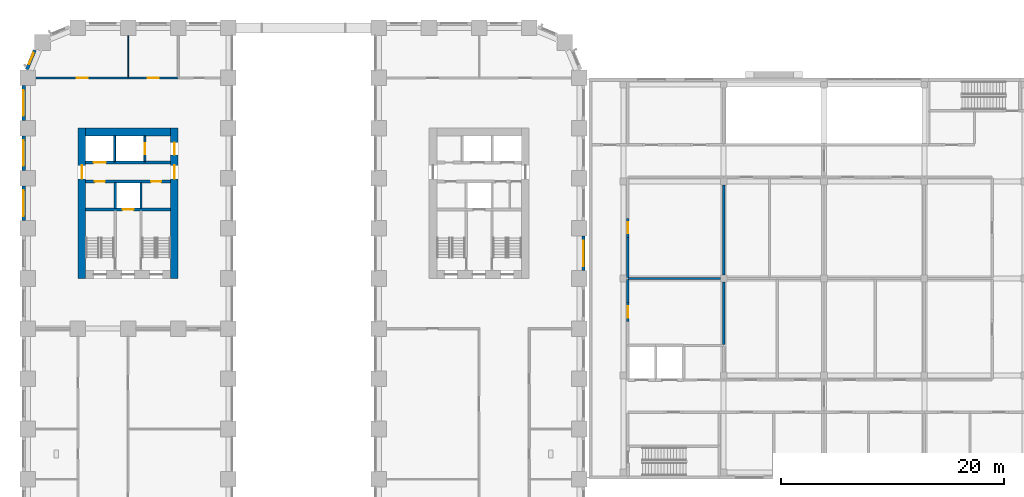
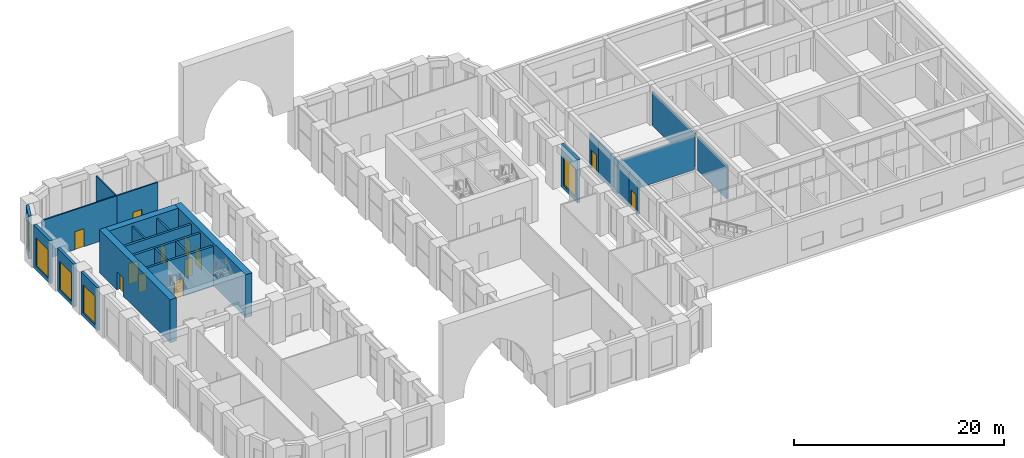
# One storey, part 13 of 25: 25 walls, 12 doors, 5 windows, 17 openings.
"""IFC4 building model written with IfcOpenShell, lengths in metres."""

from ifc_helpers import new_model, si_unit, direction, frame, frame_2d, origin, place, context, subcontext, project, spatial, rectangle, extrude, material, layer, layer_set, type_object, element, fill, save


model = new_model("IFC4")

# Units and contexts
model_context = context("Model", 3, precision=1e-05, world=origin(), true_north=direction((0.0, 1.0)))
body_context = subcontext(model_context, "Body", "Model", "MODEL_VIEW")
ifc_project = project(units=[si_unit("LENGTHUNIT", "METRE"), si_unit("AREAUNIT", "SQUARE_METRE"), si_unit("VOLUMEUNIT", "CUBIC_METRE"), si_unit("PLANEANGLEUNIT", "RADIAN"), si_unit("MASSUNIT", "GRAM", prefix="KILO")], contexts=[model_context])

# Site, building, storey
site_placement = place(None, origin())
site = spatial("IfcSite", under=ifc_project, at=site_placement, CompositionType="ELEMENT")
building_placement = place(site_placement, origin())
building = spatial("IfcBuilding", under=site, at=building_placement, Name="Girih Gate Residences", CompositionType="ELEMENT")
storey_placement = place(building_placement, frame((0.0, 0.0, 6.0)))
storey = spatial("IfcBuildingStorey", under=building, at=storey_placement, Name="L01", CompositionType="ELEMENT", Elevation=6.0)

# Wall, opening, door
ifc_material_1 = material(Name="Gypsum board on steel studs", Category="steel")
ifc_layer_1 = layer(ifc_material_1, 0.14990234375)
ifc_layer_set_1 = layer_set([ifc_layer_1], Name="Compartment wall 150 mm")
wall_type_1 = type_object("IfcWallType", Name="Compartment wall 150 mm", PredefinedType="PARTITIONING", material=ifc_layer_set_1)
wall_1_placement = place(storey_placement, frame((0.757568359375, 45.0, 0.0), z_axis=(0.0, 0.0, 1.0), x_axis=(1.0, 0.0, 0.0)))
wall_1 = element("IfcWall", 1, at=wall_1_placement, inside=storey, type_object=wall_type_1, Name="L01 partition", PredefinedType="PARTITIONING", context=body_context, shape_type="SweptSolid", body=[
    extrude(rectangle(XDim=8.242431640625, YDim=0.14990234375, at=frame_2d((4.12109375, 0.0))), origin(), (0.0, 0.0, 1.0), 4.64990234375),
])
opening_1_placement = place(wall_1_placement, frame((3.62109375, 0.0, 0.0)))
opening_1 = element("IfcOpeningElement", 2, at=opening_1_placement, cuts=wall_1, Name="Opening D-L01-S-010", PredefinedType="OPENING", context=body_context, shape_type="SweptSolid", body=[
    extrude(rectangle(XDim=1.0, YDim=2.10009765625, at=frame_2d((0.5, 1.050048828125))), frame((0.0, 0.0849609375, 0.0), z_axis=(0.0, -1.0, 0.0), x_axis=(1.0, 0.0, 0.0)), (0.0, 0.0, 1.0), 0.169921875),
])
ifc_material_2 = material(Name="Timber, fire-rated core", Category="wood")
door_type_1 = type_object("IfcDoorType", Name="Amenity door 1000x2100 FD30S", OperationType="SINGLE_SWING_LEFT", PredefinedType="DOOR", material=ifc_material_2)
door_1_placement = place(opening_1_placement, origin())
door_1 = element("IfcDoor", 3, at=door_1_placement, inside=storey, type_object=door_type_1, Name="Door L01-010", OperationType="SINGLE_SWING_RIGHT", OverallHeight=2.10009765625, OverallWidth=1.0, PredefinedType="DOOR", context=body_context, shape_type="SweptSolid", body=[
    extrude(rectangle(XDim=1.0, YDim=2.10009765625, at=frame_2d((0.5, 1.050048828125))), frame((0.0, 0.02490234375, 0.0), z_axis=(0.0, -1.0, 0.0), x_axis=(1.0, 0.0, 0.0)), (0.0, 0.0, 1.0), 0.050048828125),
])
fill(opening_1, door_1)

wall_2_placement = place(storey_placement, frame((9.0, 45.0, 0.0), z_axis=(0.0, 0.0, 1.0), x_axis=(1.0, 0.0, 0.0)))
wall_2 = element("IfcWall", 4, at=wall_2_placement, inside=storey, type_object=wall_type_1, Name="L01 partition", PredefinedType="PARTITIONING", context=body_context, shape_type="SweptSolid", body=[
    extrude(rectangle(XDim=4.5, YDim=0.14990234375, at=frame_2d((2.25, 0.0))), origin(), (0.0, 0.0, 1.0), 4.64990234375),
])
opening_2_placement = place(wall_2_placement, frame((1.75, 0.0, 0.0)))
opening_2 = element("IfcOpeningElement", 5, at=opening_2_placement, cuts=wall_2, Name="Opening D-L01-S-011", PredefinedType="OPENING", context=body_context, shape_type="SweptSolid", body=[
    extrude(rectangle(XDim=1.0, YDim=2.10009765625, at=frame_2d((0.5, 1.050048828125))), frame((0.0, 0.0849609375, 0.0), z_axis=(0.0, -1.0, 0.0), x_axis=(1.0, 0.0, 0.0)), (0.0, 0.0, 1.0), 0.169921875),
])
door_2_placement = place(opening_2_placement, origin())
door_2 = element("IfcDoor", 6, at=door_2_placement, inside=storey, type_object=door_type_1, Name="Door L01-011", OperationType="SINGLE_SWING_RIGHT", OverallHeight=2.10009765625, OverallWidth=1.0, PredefinedType="DOOR", context=body_context, shape_type="SweptSolid", body=[
    extrude(rectangle(XDim=1.0, YDim=2.10009765625, at=frame_2d((0.5, 1.050048828125))), frame((0.0, 0.02490234375, 0.0), z_axis=(0.0, -1.0, 0.0), x_axis=(1.0, 0.0, 0.0)), (0.0, 0.0, 1.0), 0.050048828125),
])
fill(opening_2, door_2)

# Wall
ifc_material_3 = material(Name="Concrete C60/75", Category="concrete")
ifc_layer_2 = layer(ifc_material_3, 0.699951171875)
ifc_layer_set_2 = layer_set([ifc_layer_2], Name="Core wall RC 700 Concrete C60/75")
wall_type_2 = type_object("IfcWallType", Name="Core wall RC 700 Concrete C60/75", PredefinedType="SOLIDWALL", material=ifc_layer_set_2)
wall_3_placement = place(storey_placement, frame((5.199951171875, 40.14990234375, 0.0), z_axis=(0.0, 0.0, 1.0), x_axis=(1.0, 0.0, 0.0)))
element("IfcWall", 7, at=wall_3_placement, inside=storey, type_object=wall_type_2, Name="Core wall W-N L01", PredefinedType="SOLIDWALL", context=body_context, shape_type="SweptSolid", body=[
    extrude(rectangle(XDim=7.60009765625, YDim=0.699951171875, at=frame_2d((3.800048828125, 0.0))), origin(), (0.0, 0.0, 1.0), 5.0),
])

# Wall, opening, door
wall_4_placement = place(storey_placement, frame((4.85009765625, 27.0, 0.0), z_axis=(0.0, 0.0, 1.0), x_axis=(0.0, 1.0, 0.0)))
wall_4 = element("IfcWall", 8, at=wall_4_placement, inside=storey, type_object=wall_type_2, Name="Core wall W-W L01", PredefinedType="SOLIDWALL", context=body_context, shape_type="SweptSolid", body=[
    extrude(rectangle(XDim=13.5, YDim=0.699951171875, at=frame_2d((6.75, 0.0))), origin(), (0.0, 0.0, 1.0), 5.0),
])
opening_3_placement = place(wall_4_placement, frame((8.949951171875, 0.0, 0.0)))
opening_3 = element("IfcOpeningElement", 9, at=opening_3_placement, cuts=wall_4, Name="Opening D-L01-W-012", PredefinedType="OPENING", context=body_context, shape_type="SweptSolid", body=[
    extrude(rectangle(XDim=1.199951171875, YDim=2.10009765625, at=frame_2d((0.60009765625, 1.050048828125))), frame((0.0, 0.35986328125, 0.0), z_axis=(0.0, -1.0, 0.0), x_axis=(1.0, 0.0, 0.0)), (0.0, 0.0, 1.0), 0.719970703125),
])
ifc_material_4 = material(Name="Painted steel, fire-resisting", Category="steel")
door_type_2 = type_object("IfcDoorType", Name="Fire door 1200x2100", OperationType="SINGLE_SWING_LEFT", PredefinedType="DOOR", material=ifc_material_4)
door_3_placement = place(opening_3_placement, origin())
door_3 = element("IfcDoor", 10, at=door_3_placement, inside=storey, type_object=door_type_2, Name="L01 W core door ll-w", OperationType="SINGLE_SWING_LEFT", OverallHeight=2.10009765625, OverallWidth=1.199951171875, PredefinedType="DOOR", context=body_context, shape_type="SweptSolid", body=[
    extrude(rectangle(XDim=1.199951171875, YDim=2.10009765625, at=frame_2d((0.60009765625, 1.050048828125))), frame((0.0, 0.02490234375, 0.0), z_axis=(0.0, -1.0, 0.0), x_axis=(1.0, 0.0, 0.0)), (0.0, 0.0, 1.0), 0.050048828125),
])
fill(opening_3, door_3)

# Wall, openings, doors
wall_5_placement = place(storey_placement, frame((13.14990234375, 27.0, 0.0), z_axis=(0.0, 0.0, 1.0), x_axis=(0.0, 1.0, 0.0)))
wall_5 = element("IfcWall", 11, at=wall_5_placement, inside=storey, type_object=wall_type_2, Name="Core wall W-E L01", PredefinedType="SOLIDWALL", context=body_context, shape_type="SweptSolid", body=[
    extrude(rectangle(XDim=13.5, YDim=0.699951171875, at=frame_2d((6.75, 0.0))), origin(), (0.0, 0.0, 1.0), 5.0),
])
opening_4_placement = place(wall_5_placement, frame((11.10009765625, 0.0, 0.0)))
opening_4 = element("IfcOpeningElement", 12, at=opening_4_placement, cuts=wall_5, Name="Opening D-L01-W-011", PredefinedType="OPENING", context=body_context, shape_type="SweptSolid", body=[
    extrude(rectangle(XDim=1.10009765625, YDim=2.10009765625, at=frame_2d((0.550048828125, 1.050048828125))), frame((0.0, 0.35986328125, 0.0), z_axis=(0.0, -1.0, 0.0), x_axis=(1.0, 0.0, 0.0)), (0.0, 0.0, 1.0), 0.719970703125),
])
opening_5_placement = place(wall_5_placement, frame((8.949951171875, 0.0, 0.0)))
opening_5 = element("IfcOpeningElement", 13, at=opening_5_placement, cuts=wall_5, Name="Opening D-L01-W-013", PredefinedType="OPENING", context=body_context, shape_type="SweptSolid", body=[
    extrude(rectangle(XDim=1.199951171875, YDim=2.10009765625, at=frame_2d((0.60009765625, 1.050048828125))), frame((0.0, 0.35986328125, 0.0), z_axis=(0.0, -1.0, 0.0), x_axis=(1.0, 0.0, 0.0)), (0.0, 0.0, 1.0), 0.719970703125),
])
door_type_3 = type_object("IfcDoorType", Name="Fire door 1100x2100", OperationType="SINGLE_SWING_LEFT", PredefinedType="DOOR", material=ifc_material_4)
door_4_placement = place(opening_4_placement, origin())
door_4 = element("IfcDoor", 14, at=door_4_placement, inside=storey, type_object=door_type_3, Name="L01 W core door ffl2-e", OperationType="SINGLE_SWING_LEFT", OverallHeight=2.10009765625, OverallWidth=1.10009765625, PredefinedType="DOOR", context=body_context, shape_type="SweptSolid", body=[
    extrude(rectangle(XDim=1.10009765625, YDim=2.10009765625, at=frame_2d((0.550048828125, 1.050048828125))), frame((0.0, 0.02490234375, 0.0), z_axis=(0.0, -1.0, 0.0), x_axis=(1.0, 0.0, 0.0)), (0.0, 0.0, 1.0), 0.050048828125),
])
fill(opening_4, door_4)
door_5_placement = place(opening_5_placement, origin())
door_5 = element("IfcDoor", 15, at=door_5_placement, inside=storey, type_object=door_type_2, Name="L01 W core door ll-e", OperationType="SINGLE_SWING_LEFT", OverallHeight=2.10009765625, OverallWidth=1.199951171875, PredefinedType="DOOR", context=body_context, shape_type="SweptSolid", body=[
    extrude(rectangle(XDim=1.199951171875, YDim=2.10009765625, at=frame_2d((0.60009765625, 1.050048828125))), frame((0.0, 0.02490234375, 0.0), z_axis=(0.0, -1.0, 0.0), x_axis=(1.0, 0.0, 0.0)), (0.0, 0.0, 1.0), 0.050048828125),
])
fill(opening_5, door_5)

# Wall, opening, door
ifc_material_5 = material(Name="Fire-rated gypsum partition")
ifc_layer_3 = layer(ifc_material_5, 0.199951171875)
ifc_layer_set_3 = layer_set([ifc_layer_3], Name="HC Corridor wall 200 EI 60")
wall_type_3 = type_object("IfcWallType", Name="HC Corridor wall 200 EI 60", PredefinedType="PARTITIONING", material=ifc_layer_set_3)
wall_6_placement = place(storey_placement, frame((53.85009765625, 24.85009765625, 0.0), z_axis=(0.0, 0.0, 1.0), x_axis=(0.0, -1.0, 0.0)))
wall_6 = element("IfcWall", 16, at=wall_6_placement, inside=storey, type_object=wall_type_3, Name="L01 wall y53.85/23.1", PredefinedType="PARTITIONING", context=body_context, shape_type="SweptSolid", body=[
    extrude(rectangle(XDim=1.7001953125, YDim=0.199951171875, at=frame_2d((0.85009765625, 0.0))), origin(), (0.0, 0.0, 1.0), 3.89990234375),
])
opening_6_placement = place(wall_6_placement, frame((0.35009765625, 0.0, 0.0)))
opening_6 = element("IfcOpeningElement", 17, at=opening_6_placement, cuts=wall_6, Name="Opening HC-L01-D15", PredefinedType="OPENING", context=body_context, shape_type="SweptSolid", body=[
    extrude(rectangle(XDim=1.0, YDim=2.10009765625, at=frame_2d((0.5, 1.050048828125))), frame((0.0, 0.10986328125, 0.0), z_axis=(0.0, -1.0, 0.0), x_axis=(1.0, 0.0, 0.0)), (0.0, 0.0, 1.0), 0.219970703125),
])
ifc_material_6 = material(Name="Timber door set", Category="wood")
door_type_4 = type_object("IfcDoorType", Name="HC Door 1000x2100 FD30S", OperationType="NOTDEFINED", PredefinedType="DOOR", material=ifc_material_6)
door_6_placement = place(opening_6_placement, origin())
door_6 = element("IfcDoor", 18, at=door_6_placement, inside=storey, type_object=door_type_4, Name="L01 Imaging suite waiting area door", OperationType="SINGLE_SWING_RIGHT", OverallHeight=2.10009765625, OverallWidth=1.0, PredefinedType="DOOR", context=body_context, shape_type="SweptSolid", body=[
    extrude(rectangle(XDim=1.0, YDim=2.10009765625, at=frame_2d((0.5, 1.050048828125))), frame((0.0, 0.02490234375, 0.0), z_axis=(0.0, -1.0, 0.0), x_axis=(1.0, 0.0, 0.0)), (0.0, 0.0, 1.0), 0.050048828125),
])
fill(opening_6, door_6)

# Walls
wall_7_placement = place(storey_placement, frame((53.85009765625, 24.85009765625, 0.0), z_axis=(0.0, 0.0, 1.0), x_axis=(0.0, 1.0, 0.0)))
element("IfcWall", 19, at=wall_7_placement, inside=storey, type_object=wall_type_3, Name="L01 wall y53.85/24.9", PredefinedType="PARTITIONING", context=body_context, shape_type="SweptSolid", body=[
    extrude(rectangle(XDim=2.0498046875, YDim=0.199951171875, at=frame_2d((1.02490234375, 0.0))), origin(), (0.0, 0.0, 1.0), 3.89990234375),
])
wall_8_placement = place(storey_placement, frame((53.85009765625, 27.10009765625, 0.0), z_axis=(0.0, 0.0, 1.0), x_axis=(0.0, 1.0, 0.0)))
element("IfcWall", 20, at=wall_8_placement, inside=storey, type_object=wall_type_3, Name="L01 wall y53.85/27.1", PredefinedType="PARTITIONING", context=body_context, shape_type="SweptSolid", body=[
    extrude(rectangle(XDim=3.599853515625, YDim=0.199951171875, at=frame_2d((1.7998046875, 0.0))), origin(), (0.0, 0.0, 1.0), 3.89990234375),
])

# Wall, opening, door
wall_9_placement = place(storey_placement, frame((53.85009765625, 32.39990234375, 0.0), z_axis=(0.0, 0.0, 1.0), x_axis=(0.0, -1.0, 0.0)))
wall_9 = element("IfcWall", 21, at=wall_9_placement, inside=storey, type_object=wall_type_3, Name="L01 wall y53.85/30.7", PredefinedType="PARTITIONING", context=body_context, shape_type="SweptSolid", body=[
    extrude(rectangle(XDim=1.699951171875, YDim=0.199951171875, at=frame_2d((0.85009765625, 0.0))), origin(), (0.0, 0.0, 1.0), 3.89990234375),
])
opening_7_placement = place(wall_9_placement, frame((0.35009765625, 0.0, 0.0)))
opening_7 = element("IfcOpeningElement", 22, at=opening_7_placement, cuts=wall_9, Name="Opening HC-L01-D21", PredefinedType="OPENING", context=body_context, shape_type="SweptSolid", body=[
    extrude(rectangle(XDim=1.0, YDim=2.10009765625, at=frame_2d((0.5, 1.050048828125))), frame((0.0, 0.10986328125, 0.0), z_axis=(0.0, -1.0, 0.0), x_axis=(1.0, 0.0, 0.0)), (0.0, 0.0, 1.0), 0.219970703125),
])
door_7_placement = place(opening_7_placement, origin())
door_7 = element("IfcDoor", 23, at=door_7_placement, inside=storey, type_object=door_type_4, Name="L01 Phlebotomy waiting area door", OperationType="SINGLE_SWING_RIGHT", OverallHeight=2.10009765625, OverallWidth=1.0, PredefinedType="DOOR", context=body_context, shape_type="SweptSolid", body=[
    extrude(rectangle(XDim=1.0, YDim=2.10009765625, at=frame_2d((0.5, 1.050048828125))), frame((0.0, 0.02490234375, 0.0), z_axis=(0.0, -1.0, 0.0), x_axis=(1.0, 0.0, 0.0)), (0.0, 0.0, 1.0), 0.050048828125),
])
fill(opening_7, door_7)

# Walls
ifc_material_7 = material(Name="Gypsum partition")
ifc_layer_4 = layer(ifc_material_7, 0.199951171875)
ifc_layer_set_4 = layer_set([ifc_layer_4], Name="HC Room partition 200 EI 30")
wall_type_4 = type_object("IfcWallType", Name="HC Room partition 200 EI 30", PredefinedType="PARTITIONING", material=ifc_layer_set_4)
wall_10_placement = place(storey_placement, frame((53.85009765625, 27.0, 0.0), z_axis=(0.0, 0.0, 1.0), x_axis=(1.0, 0.0, 0.0)))
element("IfcWall", 24, at=wall_10_placement, inside=storey, type_object=wall_type_4, Name="L01 wall x27.00/53.9", PredefinedType="PARTITIONING", context=body_context, shape_type="SweptSolid", body=[
    extrude(rectangle(XDim=8.2998046875, YDim=0.199951171875, at=frame_2d((4.14990234375, 0.0))), origin(), (0.0, 0.0, 1.0), 3.89990234375),
])
wall_11_placement = place(storey_placement, frame((62.449951171875, 21.10009765625, 0.0), z_axis=(0.0, 0.0, 1.0), x_axis=(0.0, 1.0, 0.0)))
element("IfcWall", 25, at=wall_11_placement, inside=storey, type_object=wall_type_4, Name="L01 wall y62.45/21.1", PredefinedType="PARTITIONING", context=body_context, shape_type="SweptSolid", body=[
    extrude(rectangle(XDim=5.599853515625, YDim=0.199951171875, at=frame_2d((2.7998046875, 0.0))), origin(), (0.0, 0.0, 1.0), 3.89990234375),
])
wall_12_placement = place(storey_placement, frame((62.449951171875, 27.300048828125, 0.0), z_axis=(0.0, 0.0, 1.0), x_axis=(0.0, 1.0, 0.0)))
element("IfcWall", 26, at=wall_12_placement, inside=storey, type_object=wall_type_4, Name="L01 wall y62.45/27.3", PredefinedType="PARTITIONING", context=body_context, shape_type="SweptSolid", body=[
    extrude(rectangle(XDim=8.099853515625, YDim=0.199951171875, at=frame_2d((4.0498046875, 0.0))), origin(), (0.0, 0.0, 1.0), 3.89990234375),
])

# Wall, opening, door
ifc_material_8 = material(Name="Concrete C40/50", Category="concrete")
ifc_layer_5 = layer(ifc_material_8, 0.25)
ifc_layer_set_5 = layer_set([ifc_layer_5], Name="Lift shaft wall 250")
wall_type_5 = type_object("IfcWallType", Name="Lift shaft wall 250", PredefinedType="SOLIDWALL", material=ifc_layer_set_5)
wall_13_placement = place(storey_placement, frame((5.199951171875, 33.199951171875, 0.0), z_axis=(0.0, 0.0, 1.0), x_axis=(1.0, 0.0, 0.0)))
wall_13 = element("IfcWall", 27, at=wall_13_placement, inside=storey, type_object=wall_type_5, Name="L01 W core wall H1", PredefinedType="SOLIDWALL", context=body_context, shape_type="SweptSolid", body=[
    extrude(rectangle(XDim=7.60009765625, YDim=0.25, at=frame_2d((3.800048828125, 0.0))), origin(), (0.0, 0.0, 1.0), 4.64990234375),
])
opening_8_placement = place(wall_13_placement, frame((3.300048828125, 0.0, 0.0)))
opening_8 = element("IfcOpeningElement", 28, at=opening_8_placement, cuts=wall_13, Name="Opening D-L01-W-005", PredefinedType="OPENING", context=body_context, shape_type="SweptSolid", body=[
    extrude(rectangle(XDim=1.0, YDim=2.10009765625, at=frame_2d((0.5, 1.050048828125))), frame((0.0, 0.135009765625, 0.0), z_axis=(0.0, -1.0, 0.0), x_axis=(1.0, 0.0, 0.0)), (0.0, 0.0, 1.0), 0.27001953125),
])
ifc_material_9 = material(Name="Stainless steel, fire-resisting", Category="steel")
door_type_5 = type_object("IfcDoorType", Name="Firefighting lift landing door 1000x2100", OperationType="SLIDING_TO_LEFT", PredefinedType="DOOR", material=ifc_material_9)
door_8_placement = place(opening_8_placement, origin())
door_8 = element("IfcDoor", 29, at=door_8_placement, inside=storey, type_object=door_type_5, Name="L01 lift FF-W landing door", OperationType="SLIDING_TO_LEFT", OverallHeight=2.10009765625, OverallWidth=1.0, PredefinedType="DOOR", context=body_context, shape_type="SweptSolid", body=[
    extrude(rectangle(XDim=1.0, YDim=2.10009765625, at=frame_2d((0.5, 1.050048828125))), frame((0.0, 0.02490234375, 0.0), z_axis=(0.0, -1.0, 0.0), x_axis=(1.0, 0.0, 0.0)), (0.0, 0.0, 1.0), 0.050048828125),
])
fill(opening_8, door_8)

# Wall, openings, doors
wall_14_placement = place(storey_placement, frame((5.199951171875, 35.699951171875, 0.0), z_axis=(0.0, 0.0, 1.0), x_axis=(1.0, 0.0, 0.0)))
wall_14 = element("IfcWall", 30, at=wall_14_placement, inside=storey, type_object=wall_type_5, Name="L01 W core wall H2", PredefinedType="SOLIDWALL", context=body_context, shape_type="SweptSolid", body=[
    extrude(rectangle(XDim=7.60009765625, YDim=0.25, at=frame_2d((3.800048828125, 0.0))), origin(), (0.0, 0.0, 1.0), 4.64990234375),
])
opening_9_placement = place(wall_14_placement, frame((0.824951171875, 0.0, 0.0)))
opening_9 = element("IfcOpeningElement", 31, at=opening_9_placement, cuts=wall_14, Name="Opening D-L01-W-006", PredefinedType="OPENING", context=body_context, shape_type="SweptSolid", body=[
    extrude(rectangle(XDim=0.89990234375, YDim=2.10009765625, at=frame_2d((0.449951171875, 1.050048828125))), frame((0.0, 0.135009765625, 0.0), z_axis=(0.0, -1.0, 0.0), x_axis=(1.0, 0.0, 0.0)), (0.0, 0.0, 1.0), 0.27001953125),
])
opening_10_placement = place(wall_14_placement, frame((5.875, 0.0, 0.0)))
opening_10 = element("IfcOpeningElement", 32, at=opening_10_placement, cuts=wall_14, Name="Opening D-L01-W-007", PredefinedType="OPENING", context=body_context, shape_type="SweptSolid", body=[
    extrude(rectangle(XDim=0.89990234375, YDim=2.10009765625, at=frame_2d((0.449951171875, 1.050048828125))), frame((0.0, 0.135009765625, 0.0), z_axis=(0.0, -1.0, 0.0), x_axis=(1.0, 0.0, 0.0)), (0.0, 0.0, 1.0), 0.27001953125),
])
door_type_6 = type_object("IfcDoorType", Name="Fire door 900x2100", OperationType="SINGLE_SWING_LEFT", PredefinedType="DOOR", material=ifc_material_4)
door_9_placement = place(opening_9_placement, origin())
door_9 = element("IfcDoor", 33, at=door_9_placement, inside=storey, type_object=door_type_6, Name="L01 W linen store door", OperationType="SINGLE_SWING_LEFT", OverallHeight=2.10009765625, OverallWidth=0.89990234375, PredefinedType="DOOR", context=body_context, shape_type="SweptSolid", body=[
    extrude(rectangle(XDim=0.89990234375, YDim=2.10009765625, at=frame_2d((0.449951171875, 1.050048828125))), frame((0.0, 0.02490234375, 0.0), z_axis=(0.0, -1.0, 0.0), x_axis=(1.0, 0.0, 0.0)), (0.0, 0.0, 1.0), 0.050048828125),
])
fill(opening_9, door_9)
door_10_placement = place(opening_10_placement, origin())
door_10 = element("IfcDoor", 34, at=door_10_placement, inside=storey, type_object=door_type_6, Name="L01 W riser room door", OperationType="SINGLE_SWING_LEFT", OverallHeight=2.10009765625, OverallWidth=0.89990234375, PredefinedType="DOOR", context=body_context, shape_type="SweptSolid", body=[
    extrude(rectangle(XDim=0.89990234375, YDim=2.10009765625, at=frame_2d((0.449951171875, 1.050048828125))), frame((0.0, 0.02490234375, 0.0), z_axis=(0.0, -1.0, 0.0), x_axis=(1.0, 0.0, 0.0)), (0.0, 0.0, 1.0), 0.050048828125),
])
fill(opening_10, door_10)

# Wall, opening, door
wall_15_placement = place(storey_placement, frame((5.199951171875, 37.39990234375, 0.0), z_axis=(0.0, 0.0, 1.0), x_axis=(1.0, 0.0, 0.0)))
wall_15 = element("IfcWall", 35, at=wall_15_placement, inside=storey, type_object=wall_type_5, Name="L01 W core wall H3", PredefinedType="SOLIDWALL", context=body_context, shape_type="SweptSolid", body=[
    extrude(rectangle(XDim=7.60009765625, YDim=0.25, at=frame_2d((3.800048828125, 0.0))), origin(), (0.0, 0.0, 1.0), 4.64990234375),
])
opening_11_placement = place(wall_15_placement, frame((0.699951171875, 0.0, 0.0)))
opening_11 = element("IfcOpeningElement", 36, at=opening_11_placement, cuts=wall_15, Name="Opening D-L01-W-003", PredefinedType="OPENING", context=body_context, shape_type="SweptSolid", body=[
    extrude(rectangle(XDim=1.10009765625, YDim=2.39990234375, at=frame_2d((0.550048828125, 1.199951171875))), frame((0.0, 0.135009765625, 0.0), z_axis=(0.0, -1.0, 0.0), x_axis=(1.0, 0.0, 0.0)), (0.0, 0.0, 1.0), 0.27001953125),
])
ifc_material_10 = material(Name="Stainless steel", Category="steel")
door_type_7 = type_object("IfcDoorType", Name="Lift landing door 1100x2400", OperationType="SLIDING_TO_LEFT", PredefinedType="DOOR", material=ifc_material_10)
door_11_placement = place(opening_11_placement, origin())
door_11 = element("IfcDoor", 37, at=door_11_placement, inside=storey, type_object=door_type_7, Name="L01 lift LR-W1 landing door", OperationType="SLIDING_TO_LEFT", OverallHeight=2.39990234375, OverallWidth=1.10009765625, PredefinedType="DOOR", context=body_context, shape_type="SweptSolid", body=[
    extrude(rectangle(XDim=1.10009765625, YDim=2.39990234375, at=frame_2d((0.550048828125, 1.199951171875))), frame((0.0, 0.02490234375, 0.0), z_axis=(0.0, -1.0, 0.0), x_axis=(1.0, 0.0, 0.0)), (0.0, 0.0, 1.0), 0.050048828125),
])
fill(opening_11, door_11)

# Wall
ifc_layer_6 = layer(ifc_material_1, 0.10009765625)
ifc_layer_set_6 = layer_set([ifc_layer_6], Name="Partition 100 mm")
wall_type_6 = type_object("IfcWallType", Name="Partition 100 mm", PredefinedType="PARTITIONING", material=ifc_layer_set_6)
wall_16_placement = place(storey_placement, frame((9.0, 45.074951171875, 0.0), z_axis=(0.0, 0.0, 1.0), x_axis=(0.0, 1.0, 0.0)))
element("IfcWall", 38, at=wall_16_placement, inside=storey, type_object=wall_type_6, Name="L01 partition", PredefinedType="PARTITIONING", context=body_context, shape_type="SweptSolid", body=[
    extrude(rectangle(XDim=3.72509765625, YDim=0.10009765625, at=frame_2d((1.862548828125, 0.0))), origin(), (0.0, 0.0, 1.0), 4.64990234375),
])

# Wall, opening, window
ifc_material_11 = material(Name="Precast concrete C50/60", Category="concrete")
ifc_layer_7 = layer(ifc_material_11, 0.080078125, Name="Outer leaf")
ifc_material_12 = material(Name="Rigid PIR insulation")
ifc_layer_8 = layer(ifc_material_12, 0.14990234375, Name="Insulation")
ifc_material_13 = material(Name="Precast concrete C40/50", Category="concrete")
ifc_layer_9 = layer(ifc_material_13, 0.070068359375, Name="Inner leaf")
ifc_layer_set_7 = layer_set([ifc_layer_7, ifc_layer_8, ifc_layer_9], Name="Precast concrete C50/60 external wall 300")
wall_type_7 = type_object("IfcWallType", Name="Precast concrete C50/60 external wall 300", PredefinedType="SOLIDWALL", material=ifc_layer_set_7)
wall_17_placement = place(storey_placement, frame((-0.09228515625, 45.75732421875, 0.0), z_axis=(0.0, 0.0, 1.0), x_axis=(0.382737135771, 0.923857286003, 0.0)))
wall_17 = element("IfcWall", 39, at=wall_17_placement, inside=storey, type_object=wall_type_7, Name="External wall NW0013_0482.0", PredefinedType="SOLIDWALL", context=body_context, shape_type="SweptSolid", body=[
    extrude(rectangle(XDim=1.865234375, YDim=0.300048828125, at=frame_2d((0.9326171875, 0.0))), origin(), (0.0, 0.0, 1.0), 5.0),
])
opening_12_placement = place(wall_17_placement, frame((0.507568359375, 0.0, 0.449951171875)))
opening_12 = element("IfcOpeningElement", 40, at=opening_12_placement, cuts=wall_17, Name="Opening W-2A", PredefinedType="OPENING", context=body_context, shape_type="SweptSolid", body=[
    extrude(rectangle(XDim=1.10009765625, YDim=3.300048828125, at=frame_2d((0.550048828125, 1.64990234375))), frame((0.0, 0.159912109375, 0.0), z_axis=(0.0, -1.0, 0.0), x_axis=(1.0, 0.0, 0.0)), (0.0, 0.0, 1.0), 0.320068359375),
])
ifc_material_14 = material(Name="Double glazing in aluminium frame", Category="aluminium")
window_type_1 = type_object("IfcWindowType", Name="Window W-2A 1100x3300", PartitioningType="SINGLE_PANEL", PredefinedType="WINDOW", material=ifc_material_14)
window_1_placement = place(opening_12_placement, origin())
window_1 = element("IfcWindow", 41, at=window_1_placement, inside=storey, type_object=window_type_1, Name="Window W-2A NW0013_0482.0", OverallHeight=3.300048828125, OverallWidth=1.10009765625, PartitioningType="SINGLE_PANEL", PredefinedType="WINDOW", context=body_context, shape_type="SweptSolid", body=[
    extrude(rectangle(XDim=1.10009765625, YDim=3.300048828125, at=frame_2d((0.550048828125, 1.64990234375))), frame((0.0, 0.030029296875, 0.0), z_axis=(0.0, -1.0, 0.0), x_axis=(1.0, 0.0, 0.0)), (0.0, 0.0, 1.0), 0.06005859375),
])
fill(opening_12, window_1)

wall_18_placement = place(storey_placement, frame((-0.375, 41.199951171875, 0.0), z_axis=(0.0, 0.0, 1.0), x_axis=(0.0, 1.0, 0.0)))
wall_18 = element("IfcWall", 42, at=wall_18_placement, inside=storey, type_object=wall_type_7, Name="External wall W0000_0450.0", PredefinedType="SOLIDWALL", context=body_context, shape_type="SweptSolid", body=[
    extrude(rectangle(XDim=3.10009765625, YDim=0.300048828125, at=frame_2d((1.550048828125, 0.0))), origin(), (0.0, 0.0, 1.0), 5.0),
])
opening_13_placement = place(wall_18_placement, frame((0.39990234375, 0.0, 0.449951171875)))
opening_13 = element("IfcOpeningElement", 43, at=opening_13_placement, cuts=wall_18, Name="Opening W-3", PredefinedType="OPENING", context=body_context, shape_type="SweptSolid", body=[
    extrude(rectangle(XDim=2.300048828125, YDim=3.300048828125, at=frame_2d((1.14990234375, 1.64990234375))), frame((0.0, 0.159912109375, 0.0), z_axis=(0.0, -1.0, 0.0), x_axis=(1.0, 0.0, 0.0)), (0.0, 0.0, 1.0), 0.320068359375),
])
window_type_2 = type_object("IfcWindowType", Name="Window W-3 2300x3300", PartitioningType="SINGLE_PANEL", PredefinedType="WINDOW", material=ifc_material_14)
window_2_placement = place(opening_13_placement, origin())
window_2 = element("IfcWindow", 44, at=window_2_placement, inside=storey, type_object=window_type_2, Name="Window W-3 W0000_0450.0", OverallHeight=3.300048828125, OverallWidth=2.300048828125, PartitioningType="SINGLE_PANEL", PredefinedType="WINDOW", context=body_context, shape_type="SweptSolid", body=[
    extrude(rectangle(XDim=2.300048828125, YDim=3.300048828125, at=frame_2d((1.14990234375, 1.64990234375))), frame((0.0, 0.030029296875, 0.0), z_axis=(0.0, -1.0, 0.0), x_axis=(1.0, 0.0, 0.0)), (0.0, 0.0, 1.0), 0.06005859375),
])
fill(opening_13, window_2)

wall_19_placement = place(storey_placement, frame((-0.375, 36.699951171875, 0.0), z_axis=(0.0, 0.0, 1.0), x_axis=(0.0, 1.0, 0.0)))
wall_19 = element("IfcWall", 45, at=wall_19_placement, inside=storey, type_object=wall_type_7, Name="External wall W0000_0450.1", PredefinedType="SOLIDWALL", context=body_context, shape_type="SweptSolid", body=[
    extrude(rectangle(XDim=3.10009765625, YDim=0.300048828125, at=frame_2d((1.550048828125, 0.0))), origin(), (0.0, 0.0, 1.0), 5.0),
])
opening_14_placement = place(wall_19_placement, frame((0.39990234375, 0.0, 0.449951171875)))
opening_14 = element("IfcOpeningElement", 46, at=opening_14_placement, cuts=wall_19, Name="Opening W-3", PredefinedType="OPENING", context=body_context, shape_type="SweptSolid", body=[
    extrude(rectangle(XDim=2.300048828125, YDim=3.300048828125, at=frame_2d((1.14990234375, 1.64990234375))), frame((0.0, 0.159912109375, 0.0), z_axis=(0.0, -1.0, 0.0), x_axis=(1.0, 0.0, 0.0)), (0.0, 0.0, 1.0), 0.320068359375),
])
window_3_placement = place(opening_14_placement, origin())
window_3 = element("IfcWindow", 47, at=window_3_placement, inside=storey, type_object=window_type_2, Name="Window W-3 W0000_0450.1", OverallHeight=3.300048828125, OverallWidth=2.300048828125, PartitioningType="SINGLE_PANEL", PredefinedType="WINDOW", context=body_context, shape_type="SweptSolid", body=[
    extrude(rectangle(XDim=2.300048828125, YDim=3.300048828125, at=frame_2d((1.14990234375, 1.64990234375))), frame((0.0, 0.030029296875, 0.0), z_axis=(0.0, -1.0, 0.0), x_axis=(1.0, 0.0, 0.0)), (0.0, 0.0, 1.0), 0.06005859375),
])
fill(opening_14, window_3)

wall_20_placement = place(storey_placement, frame((-0.375, 32.199951171875, 0.0), z_axis=(0.0, 0.0, 1.0), x_axis=(0.0, 1.0, 0.0)))
wall_20 = element("IfcWall", 48, at=wall_20_placement, inside=storey, type_object=wall_type_7, Name="External wall W0000_0450.2", PredefinedType="SOLIDWALL", context=body_context, shape_type="SweptSolid", body=[
    extrude(rectangle(XDim=3.10009765625, YDim=0.300048828125, at=frame_2d((1.550048828125, 0.0))), origin(), (0.0, 0.0, 1.0), 5.0),
])
opening_15_placement = place(wall_20_placement, frame((0.39990234375, 0.0, 0.449951171875)))
opening_15 = element("IfcOpeningElement", 49, at=opening_15_placement, cuts=wall_20, Name="Opening W-3", PredefinedType="OPENING", context=body_context, shape_type="SweptSolid", body=[
    extrude(rectangle(XDim=2.300048828125, YDim=3.300048828125, at=frame_2d((1.14990234375, 1.64990234375))), frame((0.0, 0.159912109375, 0.0), z_axis=(0.0, -1.0, 0.0), x_axis=(1.0, 0.0, 0.0)), (0.0, 0.0, 1.0), 0.320068359375),
])
window_4_placement = place(opening_15_placement, origin())
window_4 = element("IfcWindow", 50, at=window_4_placement, inside=storey, type_object=window_type_2, Name="Window W-3 W0000_0450.2", OverallHeight=3.300048828125, OverallWidth=2.300048828125, PartitioningType="SINGLE_PANEL", PredefinedType="WINDOW", context=body_context, shape_type="SweptSolid", body=[
    extrude(rectangle(XDim=2.300048828125, YDim=3.300048828125, at=frame_2d((1.14990234375, 1.64990234375))), frame((0.0, 0.030029296875, 0.0), z_axis=(0.0, -1.0, 0.0), x_axis=(1.0, 0.0, 0.0)), (0.0, 0.0, 1.0), 0.06005859375),
])
fill(opening_15, window_4)

wall_21_placement = place(storey_placement, frame((49.875, 30.800048828125, 0.0), z_axis=(0.0, 0.0, 1.0), x_axis=(0.0, -1.0, 0.0)))
wall_21 = element("IfcWall", 51, at=wall_21_placement, inside=storey, type_object=wall_type_7, Name="External wall E0495_0045.5", PredefinedType="SOLIDWALL", context=body_context, shape_type="SweptSolid", body=[
    extrude(rectangle(XDim=3.10009765625, YDim=0.300048828125, at=frame_2d((1.550048828125, 0.0))), origin(), (0.0, 0.0, 1.0), 5.0),
])
opening_16_placement = place(wall_21_placement, frame((0.39990234375, 0.0, 0.449951171875)))
opening_16 = element("IfcOpeningElement", 52, at=opening_16_placement, cuts=wall_21, Name="Opening W-3", PredefinedType="OPENING", context=body_context, shape_type="SweptSolid", body=[
    extrude(rectangle(XDim=2.300048828125, YDim=3.300048828125, at=frame_2d((1.14990234375, 1.64990234375))), frame((0.0, 0.159912109375, 0.0), z_axis=(0.0, -1.0, 0.0), x_axis=(1.0, 0.0, 0.0)), (0.0, 0.0, 1.0), 0.320068359375),
])
window_5_placement = place(opening_16_placement, origin())
window_5 = element("IfcWindow", 53, at=window_5_placement, inside=storey, type_object=window_type_2, Name="Window W-3 E0495_0045.5", OverallHeight=3.300048828125, OverallWidth=2.300048828125, PartitioningType="SINGLE_PANEL", PredefinedType="WINDOW", context=body_context, shape_type="SweptSolid", body=[
    extrude(rectangle(XDim=2.300048828125, YDim=3.300048828125, at=frame_2d((1.14990234375, 1.64990234375))), frame((0.0, 0.030029296875, 0.0), z_axis=(0.0, -1.0, 0.0), x_axis=(1.0, 0.0, 0.0)), (0.0, 0.0, 1.0), 0.06005859375),
])
fill(opening_16, window_5)

# Wall
ifc_layer_10 = layer(ifc_material_8, 0.175048828125)
ifc_layer_set_8 = layer_set([ifc_layer_10], Name="Riser shaft wall 175")
wall_type_8 = type_object("IfcWallType", Name="Riser shaft wall 175", PredefinedType="SOLIDWALL", material=ifc_layer_set_8)
wall_22_placement = place(storey_placement, frame((7.800048828125, 37.5, 0.0), z_axis=(0.0, 0.0, 1.0), x_axis=(0.0, 1.0, 0.0)))
element("IfcWall", 54, at=wall_22_placement, inside=storey, type_object=wall_type_8, Name="L01 W core wall V1c", PredefinedType="SOLIDWALL", context=body_context, shape_type="SweptSolid", body=[
    extrude(rectangle(XDim=2.300048828125, YDim=0.175048828125, at=frame_2d((1.14990234375, 0.0))), origin(), (0.0, 0.0, 1.0), 4.64990234375),
])

# Wall, opening, door
wall_23_placement = place(storey_placement, frame((10.5, 37.5, 0.0), z_axis=(0.0, 0.0, 1.0), x_axis=(0.0, 1.0, 0.0)))
wall_23 = element("IfcWall", 55, at=wall_23_placement, inside=storey, type_object=wall_type_8, Name="L01 W core wall V2c", PredefinedType="SOLIDWALL", context=body_context, shape_type="SweptSolid", body=[
    extrude(rectangle(XDim=2.300048828125, YDim=0.175048828125, at=frame_2d((1.14990234375, 0.0))), origin(), (0.0, 0.0, 1.0), 4.64990234375),
])
opening_17_placement = place(wall_23_placement, frame((0.64990234375, 0.0, 0.0)))
opening_17 = element("IfcOpeningElement", 56, at=opening_17_placement, cuts=wall_23, Name="Opening D-L01-W-004", PredefinedType="OPENING", context=body_context, shape_type="SweptSolid", body=[
    extrude(rectangle(XDim=1.0, YDim=2.10009765625, at=frame_2d((0.5, 1.050048828125))), frame((0.0, 0.097412109375, 0.0), z_axis=(0.0, -1.0, 0.0), x_axis=(1.0, 0.0, 0.0)), (0.0, 0.0, 1.0), 0.195068359375),
])
door_12_placement = place(opening_17_placement, origin())
door_12 = element("IfcDoor", 57, at=door_12_placement, inside=storey, type_object=door_type_5, Name="L01 lift FF-W2 landing door", OperationType="SLIDING_TO_LEFT", OverallHeight=2.10009765625, OverallWidth=1.0, PredefinedType="DOOR", context=body_context, shape_type="SweptSolid", body=[
    extrude(rectangle(XDim=1.0, YDim=2.10009765625, at=frame_2d((0.5, 1.050048828125))), frame((0.0, 0.02490234375, 0.0), z_axis=(0.0, -1.0, 0.0), x_axis=(1.0, 0.0, 0.0)), (0.0, 0.0, 1.0), 0.050048828125),
])
fill(opening_17, door_12)

# Walls
ifc_layer_11 = layer(ifc_material_8, 0.199951171875)
ifc_layer_set_9 = layer_set([ifc_layer_11], Name="Shaft wall 200")
wall_type_9 = type_object("IfcWallType", Name="Shaft wall 200", PredefinedType="SOLIDWALL", material=ifc_layer_set_9)
for number, where, z_axis, x_axis, name in (
    (58, (7.85009765625, 33.300048828125, 0.0), (0.0, 0.0, 1.0), (0.0, 1.0, 0.0), "L01 W core wall V1b"),
    (59, (10.14990234375, 33.300048828125, 0.0), (0.0, 0.0, 1.0), (0.0, 1.0, 0.0), "L01 W core wall V2b"),
):
    element("IfcWall", number, at=place(storey_placement, frame(where, z_axis=z_axis, x_axis=x_axis)), inside=storey, type_object=wall_type_9, Name=name, PredefinedType="SOLIDWALL", context=body_context, shape_type="SweptSolid", body=[
        extrude(rectangle(XDim=2.300048828125, YDim=0.199951171875, at=frame_2d((1.14990234375, 0.0))), origin(), (0.0, 0.0, 1.0), 4.64990234375),
    ])

save(model, "model.ifc")
